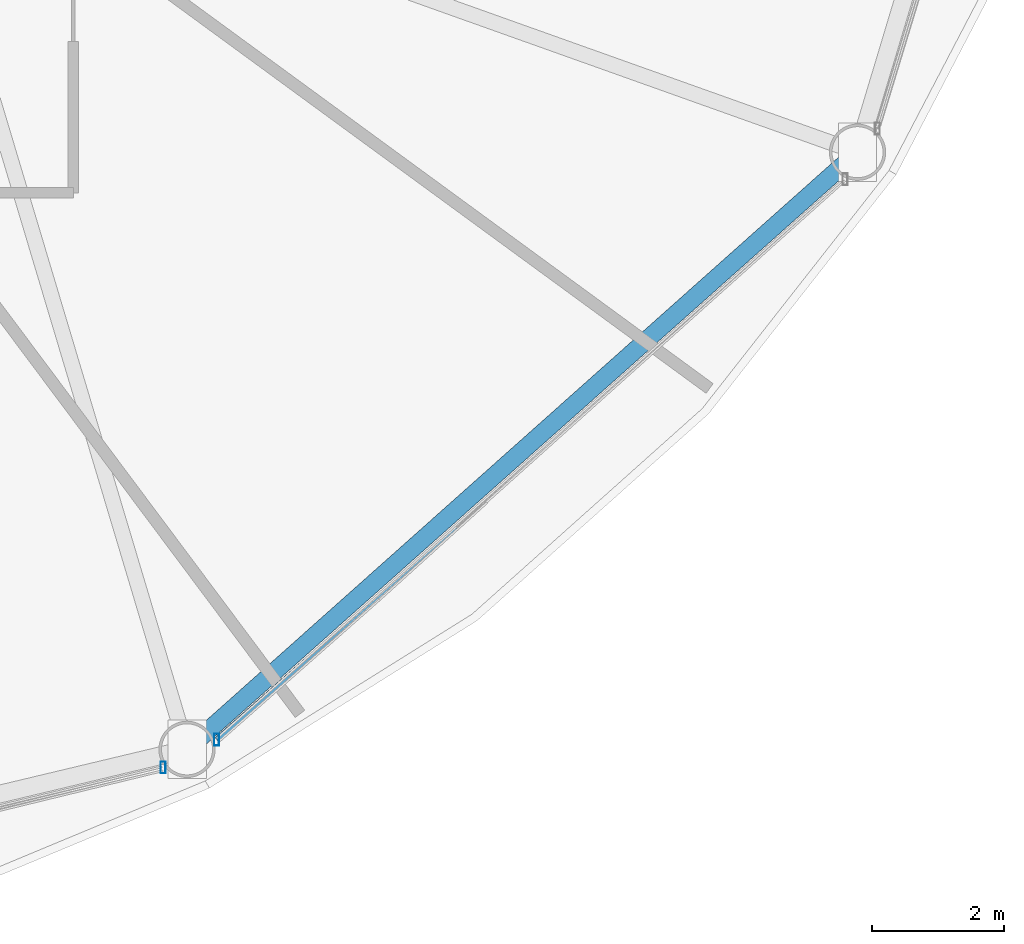
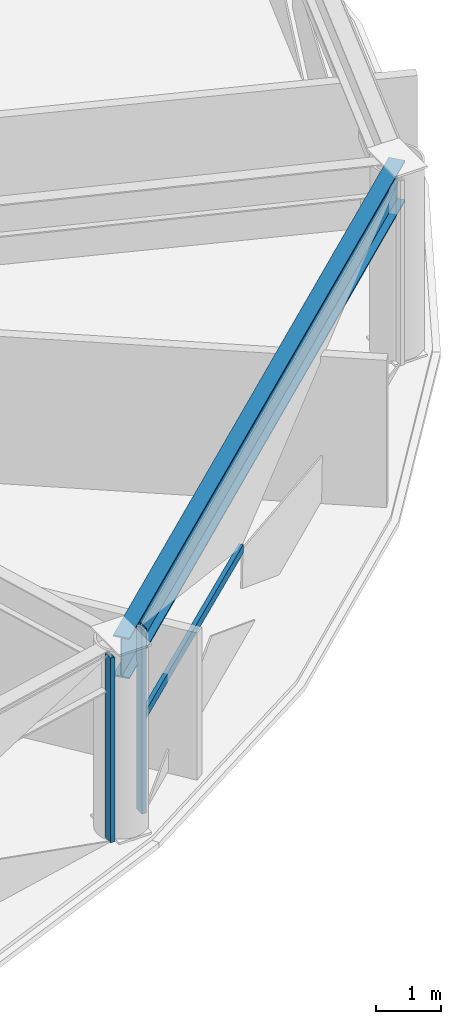
# One storey, part 8 of 33: 3 members, 1 beam, 2 elements without a shape of their own.
"""IFC4 building model written with IfcOpenShell, lengths in metres."""

from ifc_helpers import new_model, si_unit, direction, frame, origin, origin_2d, place, context, subcontext, project, spatial, hollow_rectangle, i_section, extrude, material, layer, layer_set, material_profile, profile_set, type_object, element, aggregate, save


model = new_model("IFC4")

# Units and contexts
model_context = context("Model", 3, precision=1e-05, world=origin(), true_north=direction((0.0, 1.0)))
body_context = subcontext(model_context, "Body", "Model", "MODEL_VIEW")
ifc_project = project(units=[si_unit("LENGTHUNIT", "METRE"), si_unit("AREAUNIT", "SQUARE_METRE"), si_unit("VOLUMEUNIT", "CUBIC_METRE"), si_unit("PLANEANGLEUNIT", "RADIAN"), si_unit("MASSUNIT", "GRAM", prefix="KILO")], contexts=[model_context])

# Site, building, storey
site_placement = place(None, origin())
site = spatial("IfcSite", under=ifc_project, at=site_placement, CompositionType="ELEMENT")
building_placement = place(site_placement, origin())
building = spatial("IfcBuilding", under=site, at=building_placement, Name="Vantalir Tower", CompositionType="ELEMENT")
storey_placement = place(building_placement, frame((0.0, 0.0, 68.25)))
storey = spatial("IfcBuildingStorey", under=building, at=storey_placement, Name="L16", CompositionType="ELEMENT", Elevation=68.25)

# Beam
ifc_material_1 = material(Name="Steel S460", Category="steel")
ifc_material_profile_1 = material_profile(ifc_material_1, i_section(OverallWidth=0.26806640625, OverallDepth=0.77001953125, WebThickness=0.015625, FlangeThickness=0.025390625, at=origin_2d()), Name="Steel S460")
ifc_profile_set_1 = profile_set([ifc_material_profile_1], Name="Steel S460")
beam_type = type_object("IfcBeamType", Name="BM-RG-762x267", PredefinedType="USERDEFINED", material=ifc_profile_set_1)
beam_placement = place(storey_placement, frame((45.324951171875, 3.6708984375, 3.18505859375), z_axis=(0.746762968032, 0.66509027175, 0.0), x_axis=(-0.66509027175, 0.746762968032, 0.0)))
element("IfcBeam", 1, at=beam_placement, inside=storey, type_object=beam_type, Name="L16 Circumferential Ring Girder 11", ObjectType="GIRDER", PredefinedType="USERDEFINED", context=body_context, shape_type="SweptSolid", body=[
    extrude(i_section(OverallWidth=0.26806640625, OverallDepth=0.77001953125, WebThickness=0.015625, FlangeThickness=0.025390625, at=origin_2d()), origin(), (0.0, 0.0, 1.0), 13.55322265625),
])

# Curtain wall, member
ifc_material_2 = material(Name="Champagne-silver PVDF aluminium and double-silver Low-E glass", Category="aluminium")
ifc_layer = layer(ifc_material_2, 0.18994140625)
ifc_layer_set = layer_set([ifc_layer], Name="Champagne-silver PVDF aluminium and double-silver Low-E glass")
curtain_wall_type = type_object("IfcCurtainWallType", Name="CW-DIAMOND-Z1", PredefinedType="USERDEFINED", material=ifc_layer_set)
curtain_wall_1_placement = place(storey_placement, origin())
curtain_wall_1 = element("IfcCurtainWall", 2, at=curtain_wall_1_placement, inside=storey, type_object=curtain_wall_type, Name="L16 Quilted Pyramid-Diamond Curtain Wall S10", ObjectType="UNITISED CURTAIN WALL", PredefinedType="USERDEFINED")
ifc_material_3 = material(Name="Champagne-silver PVDF aluminium 6063-T6", Category="aluminium")
ifc_material_profile_2 = material_profile(ifc_material_3, hollow_rectangle(XDim=0.074951171875, YDim=0.179931640625, WallThickness=0.00390625, at=origin_2d()), Name="Champagne-silver PVDF aluminium 6063-T6")
ifc_profile_set_2 = profile_set([ifc_material_profile_2], Name="Champagne-silver PVDF aluminium 6063-T6")
member_type_1 = type_object("IfcMemberType", Name="CWM-180x75", PredefinedType="MULLION", material=ifc_profile_set_2)
member_1_placement = place(storey_placement, frame((44.962890625, 3.39697265625, 0.044921875), z_axis=(0.0, 0.0, 1.0), x_axis=(1.0, 0.0, 0.0)))
member_1 = element("IfcMember", 3, at=member_1_placement, type_object=member_type_1, Name="CW-L16-S10 Mullion 2", PredefinedType="MULLION", context=body_context, shape_type="SweptSolid", body=[
    extrude(hollow_rectangle(XDim=0.074951171875, YDim=0.179931640625, WallThickness=0.00390625, at=origin_2d()), origin(), (0.0, 0.0, 1.0), 3.47998046875),
])
aggregate(curtain_wall_1, [member_1])

# Curtain wall, members
curtain_wall_2_placement = place(storey_placement, origin())
curtain_wall_2 = element("IfcCurtainWall", 4, at=curtain_wall_2_placement, inside=storey, type_object=curtain_wall_type, Name="L16 Quilted Pyramid-Diamond Curtain Wall S11", ObjectType="UNITISED CURTAIN WALL", PredefinedType="USERDEFINED")
member_2_placement = place(storey_placement, frame((45.77099609375, 3.819091796875, 0.044921875), z_axis=(0.0, 0.0, 1.0), x_axis=(1.0, 0.0, 0.0)))
member_2 = element("IfcMember", 5, at=member_2_placement, type_object=member_type_1, Name="CW-L16-S11 Mullion 1", PredefinedType="MULLION", context=body_context, shape_type="SweptSolid", body=[
    extrude(hollow_rectangle(XDim=0.074951171875, YDim=0.179931640625, WallThickness=0.00390625, at=origin_2d()), origin(), (0.0, 0.0, 1.0), 3.47998046875),
])
ifc_material_profile_3 = material_profile(ifc_material_3, hollow_rectangle(XDim=0.074951171875, YDim=0.159912109375, WallThickness=0.00390625, at=origin_2d()), Name="Champagne-silver PVDF aluminium 6063-T6")
ifc_profile_set_3 = profile_set([ifc_material_profile_3], Name="Champagne-silver PVDF aluminium 6063-T6")
member_type_2 = type_object("IfcMemberType", Name="CWT-160x75", PredefinedType="USERDEFINED", material=ifc_profile_set_3)
member_3_placement = place(storey_placement, frame((45.77099609375, 3.819091796875, 1.784912109375), z_axis=(0.749727239605, 0.661746980495, 0.0), x_axis=(-0.661746980495, 0.749727239605, 0.0)))
member_3 = element("IfcMember", 6, at=member_3_placement, type_object=member_type_2, Name="CW-L16-S11 Pyramid Fold Ridge Transom", ObjectType="TRANSOM", PredefinedType="USERDEFINED", context=body_context, shape_type="SweptSolid", body=[
    extrude(hollow_rectangle(XDim=0.074951171875, YDim=0.159912109375, WallThickness=0.00390625, at=origin_2d()), origin(), (0.0, 0.0, 1.0), 4.831298828125),
])
aggregate(curtain_wall_2, [member_2, member_3])

save(model, "model.ifc")
